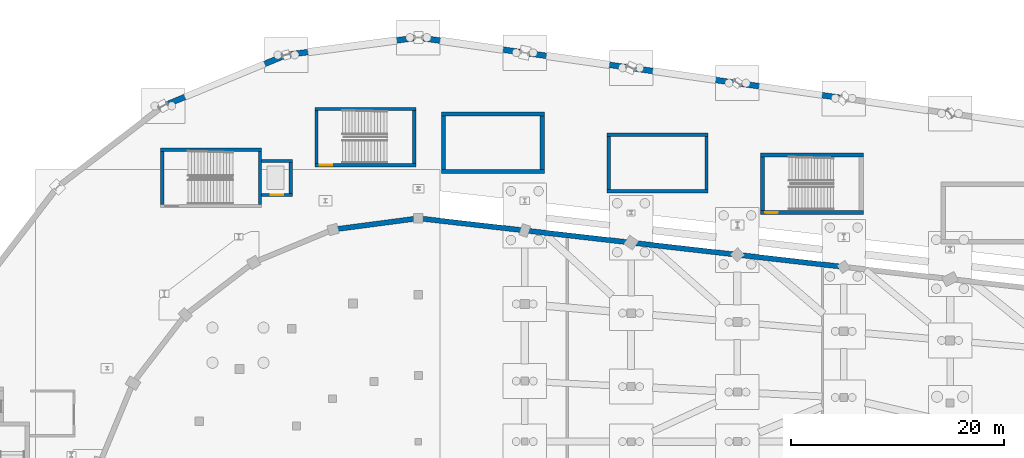
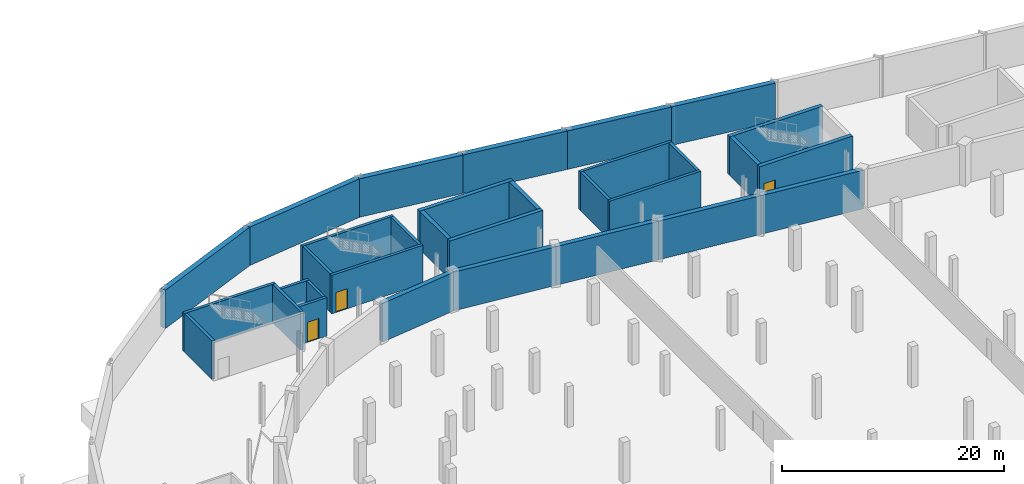
# One storey, part 48 of 55: 32 walls, 3 doors, 3 openings.
"""IFC4 building model written with IfcOpenShell, lengths in metres."""

from ifc_helpers import new_model, si_unit, direction, frame, frame_2d, origin, place, context, subcontext, project, spatial, rectangle, extrude, material, layer, layer_set, type_object, element, fill, save


model = new_model("IFC4")

# Units and contexts
model_context = context("Model", 3, precision=1e-05, world=origin(), true_north=direction((0.0, 1.0)))
body_context = subcontext(model_context, "Body", "Model", "MODEL_VIEW")
ifc_project = project(units=[si_unit("LENGTHUNIT", "METRE"), si_unit("AREAUNIT", "SQUARE_METRE"), si_unit("VOLUMEUNIT", "CUBIC_METRE"), si_unit("PLANEANGLEUNIT", "RADIAN"), si_unit("MASSUNIT", "GRAM", prefix="KILO")], contexts=[model_context])

# Site, building, storey
site_placement = place(None, origin())
site = spatial("IfcSite", under=ifc_project, at=site_placement, CompositionType="ELEMENT")
building_placement = place(site_placement, origin())
building = spatial("IfcBuilding", under=site, at=building_placement, Name="Sohan Crest Arena", CompositionType="ELEMENT")
storey_placement = place(building_placement, frame((0.0, 0.0, -4.5)))
storey = spatial("IfcBuildingStorey", under=building, at=storey_placement, Name="B1", CompositionType="ELEMENT", Elevation=-4.5)

# Walls
ifc_material_1 = material(Name="Concrete C40/50", Category="concrete")
ifc_layer_1 = layer(ifc_material_1, 0.47998046875, Name="Concrete C40/50")
ifc_layer_set_1 = layer_set([ifc_layer_1], Name="Concrete C40/50")
wall_type_1 = type_object("IfcWallType", Name="WAL-RW02", PredefinedType="USERDEFINED", material=ifc_layer_set_1)
wall_1_placement = place(storey_placement, frame((98.0, 109.0, 0.0), z_axis=(0.0, 0.0, 1.0), x_axis=(-0.99145018748, -0.130485730048, 0.0)))
element("IfcWall", 1, at=wall_1_placement, inside=storey, type_object=wall_type_1, Name="External wall RW-001", ObjectType="RETAINING WALL", PredefinedType="USERDEFINED", context=body_context, shape_type="SweptSolid", body=[
    extrude(rectangle(XDim=8.092041015625, YDim=0.47998046875, at=frame_2d((4.0458984375, 0.0))), origin(), (0.0, 0.0, 1.0), 4.25),
])
wall_2_placement = place(storey_placement, frame((138.0, 104.428955078125, 0.0), z_axis=(0.0, 0.0, 1.0), x_axis=(-0.993541269973, 0.113471339378, 0.0)))
element("IfcWall", 2, at=wall_2_placement, inside=storey, type_object=wall_type_1, Name="External wall RW-031", ObjectType="RETAINING WALL", PredefinedType="USERDEFINED", context=body_context, shape_type="SweptSolid", body=[
    extrude(rectangle(XDim=10.06494140625, YDim=0.47998046875, at=frame_2d((5.032470703125, 0.0))), origin(), (0.0, 0.0, 1.0), 4.25),
])
for number, where, z_axis, x_axis, name in (
    (3, (128.0, 105.571044921875, 0.0), (0.0, 0.0, 1.0), (-0.99353032697, 0.113567114035, 0.0), "External wall RW-032"),
    (4, (118.0, 106.714111328125, 0.0), (0.0, 0.0, 1.0), (-0.993533063564, 0.113543170668, 0.0), "External wall RW-033"),
    (5, (108.0, 107.85693359375, 0.0), (0.0, 0.0, 1.0), (-0.99353032697, 0.113567114035, 0.0), "External wall RW-034"),
):
    element("IfcWall", number, at=place(storey_placement, frame(where, z_axis=z_axis, x_axis=x_axis)), inside=storey, type_object=wall_type_1, Name=name, ObjectType="RETAINING WALL", PredefinedType="USERDEFINED", context=body_context, shape_type="SweptSolid", body=[
        extrude(rectangle(XDim=10.065185546875, YDim=0.47998046875, at=frame_2d((5.03271484375, 0.0))), origin(), (0.0, 0.0, 1.0), 4.25),
    ])
ifc_layer_2 = layer(ifc_material_1, 0.5400390625, Name="Concrete C40/50")
ifc_layer_set_2 = layer_set([ifc_layer_2], Name="Concrete C40/50")
wall_type_2 = type_object("IfcWallType", Name="WAL-RW03", PredefinedType="USERDEFINED", material=ifc_layer_set_2)
wall_3_placement = place(storey_placement, frame((98.0, 126.0, 0.0), z_axis=(0.0, 0.0, 1.0), x_axis=(-0.991440164207, -0.130561865783, 0.0)))
element("IfcWall", 6, at=wall_3_placement, inside=storey, type_object=wall_type_2, Name="External wall RW-039", ObjectType="RETAINING WALL", PredefinedType="USERDEFINED", context=body_context, shape_type="SweptSolid", body=[
    extrude(rectangle(XDim=12.5302734375, YDim=0.5400390625, at=frame_2d((6.26513671875, 0.0))), origin(), (0.0, 0.0, 1.0), 4.22509765625),
])
wall_4_placement = place(storey_placement, frame((85.576904296875, 124.364013671875, 0.0), z_axis=(0.0, 0.0, 1.0), x_axis=(-0.923890504882, -0.382656941645, 0.0)))
element("IfcWall", 7, at=wall_4_placement, inside=storey, type_object=wall_type_2, Name="External wall RW-040", ObjectType="RETAINING WALL", PredefinedType="USERDEFINED", context=body_context, shape_type="SweptSolid", body=[
    extrude(rectangle(XDim=12.530517578125, YDim=0.5400390625, at=frame_2d((6.26513671875, 0.0))), origin(), (0.0, 0.0, 1.0), 4.22509765625),
])
for number, where, z_axis, x_axis, name in (
    (8, (138.0, 120.285888671875, 0.0), (0.0, 0.0, 1.0), (-0.989954326844, 0.141387519825, 0.0), "External wall RW-069"),
    (9, (128.0, 121.714111328125, 0.0), (0.0, 0.0, 1.0), (-0.989944175879, 0.141458575718, 0.0), "External wall RW-070"),
    (10, (118.0, 123.14306640625, 0.0), (0.0, 0.0, 1.0), (-0.989957709412, 0.141363834042, 0.0), "External wall RW-071"),
    (11, (108.0, 124.571044921875, 0.0), (0.0, 0.0, 1.0), (-0.989944175879, 0.141458575718, 0.0), "External wall RW-072"),
):
    element("IfcWall", number, at=place(storey_placement, frame(where, z_axis=z_axis, x_axis=x_axis)), inside=storey, type_object=wall_type_2, Name=name, ObjectType="RETAINING WALL", PredefinedType="USERDEFINED", context=body_context, shape_type="SweptSolid", body=[
        extrude(rectangle(XDim=10.1015625, YDim=0.5400390625, at=frame_2d((5.05078125, 0.0))), origin(), (0.0, 0.0, 1.0), 4.22509765625),
    ])
ifc_layer_3 = layer(ifc_material_1, 0.300048828125, Name="Concrete C40/50")
ifc_layer_set_3 = layer_set([ifc_layer_3], Name="Concrete C40/50")
wall_type_3 = type_object("IfcWallType", Name="WAL-SW01", PredefinedType="SHEAR", material=ifc_layer_set_3)
for number, where, z_axis, x_axis, name in (
    (12, (73.89990234375, 110.300048828125, 0.0), (0.0, 0.0, 1.0), (0.0, 1.0, 0.0), "Core shear wall SW-0190"),
    (13, (83.10009765625, 110.300048828125, 0.0), (0.0, 0.0, 1.0), (0.0, 1.0, 0.0), "Core shear wall SW-0191"),
):
    element("IfcWall", number, at=place(storey_placement, frame(where, z_axis=z_axis, x_axis=x_axis)), inside=storey, type_object=wall_type_3, Name=name, PredefinedType="SHEAR", context=body_context, shape_type="SweptSolid", body=[
        extrude(rectangle(XDim=5.0, YDim=0.300048828125, at=frame_2d((2.5, 0.0))), origin(), (0.0, 0.0, 1.0), 4.22509765625),
    ])
wall_5_placement = place(storey_placement, frame((73.75, 115.449951171875, 0.0), z_axis=(0.0, 0.0, 1.0), x_axis=(1.0, 0.0, 0.0)))
element("IfcWall", 14, at=wall_5_placement, inside=storey, type_object=wall_type_3, Name="Core shear wall SW-0193", PredefinedType="SHEAR", context=body_context, shape_type="SweptSolid", body=[
    extrude(rectangle(XDim=9.5, YDim=0.300048828125, at=frame_2d((4.75, 0.0))), origin(), (0.0, 0.0, 1.0), 4.22509765625),
])
wall_6_placement = place(storey_placement, frame((86.0, 111.35009765625, 0.0), z_axis=(0.0, 0.0, 1.0), x_axis=(0.0, 1.0, 0.0)))
element("IfcWall", 15, at=wall_6_placement, inside=storey, type_object=wall_type_3, Name="Core shear wall SW-0194", PredefinedType="SHEAR", context=body_context, shape_type="SweptSolid", body=[
    extrude(rectangle(XDim=2.89990234375, YDim=0.300048828125, at=frame_2d((1.449951171875, 0.0))), origin(), (0.0, 0.0, 1.0), 4.22509765625),
])

# Wall, opening, door
wall_7_placement = place(storey_placement, frame((83.25, 111.199951171875, 0.0), z_axis=(0.0, 0.0, 1.0), x_axis=(1.0, 0.0, 0.0)))
wall_7 = element("IfcWall", 16, at=wall_7_placement, inside=storey, type_object=wall_type_3, Name="Core shear wall SW-0195", PredefinedType="SHEAR", context=body_context, shape_type="SweptSolid", body=[
    extrude(rectangle(XDim=2.89990234375, YDim=0.300048828125, at=frame_2d((1.449951171875, 0.0))), origin(), (0.0, 0.0, 1.0), 4.22509765625),
])
opening_1_placement = place(wall_7_placement, frame((0.85009765625, 0.0, 0.0)))
opening_1 = element("IfcOpeningElement", 17, at=opening_1_placement, cuts=wall_7, Name="Opening LD-LP02-B1", PredefinedType="OPENING", context=body_context, shape_type="SweptSolid", body=[
    extrude(rectangle(XDim=1.199951171875, YDim=2.199951171875, at=frame_2d((0.60009765625, 1.10009765625))), frame((0.0, 0.159912109375, 0.0), z_axis=(0.0, -1.0, 0.0), x_axis=(1.0, 0.0, 0.0)), (0.0, 0.0, 1.0), 0.320068359375),
])
ifc_material_2 = material(Name="Stainless steel passenger lift landing door", Category="steel")
door_type_1 = type_object("IfcDoorType", Name="DR-LD02", OperationType="SLIDING_TO_LEFT", PredefinedType="DOOR", material=ifc_material_2)
door_1_placement = place(opening_1_placement, origin())
door_1 = element("IfcDoor", 18, at=door_1_placement, inside=storey, type_object=door_type_1, Name="Sliding lift landing door LD-LP02-B1", OperationType="SLIDING_TO_LEFT", OverallHeight=2.199951171875, OverallWidth=1.199951171875, PredefinedType="DOOR", context=body_context, shape_type="SweptSolid", body=[
    extrude(rectangle(XDim=1.199951171875, YDim=2.199951171875, at=frame_2d((0.60009765625, 1.10009765625))), frame((0.0, 0.02490234375, 0.0), z_axis=(0.0, -1.0, 0.0), x_axis=(1.0, 0.0, 0.0)), (0.0, 0.0, 1.0), 0.050048828125),
])
fill(opening_1, door_1)

# Walls
wall_8_placement = place(storey_placement, frame((83.25, 114.39990234375, 0.0), z_axis=(0.0, 0.0, 1.0), x_axis=(1.0, 0.0, 0.0)))
element("IfcWall", 19, at=wall_8_placement, inside=storey, type_object=wall_type_3, Name="Core shear wall SW-0196", PredefinedType="SHEAR", context=body_context, shape_type="SweptSolid", body=[
    extrude(rectangle(XDim=2.89990234375, YDim=0.300048828125, at=frame_2d((1.449951171875, 0.0))), origin(), (0.0, 0.0, 1.0), 4.22509765625),
])
for number, where, z_axis, x_axis, name in (
    (20, (115.75, 111.550048828125, 0.0), (0.0, 0.0, 1.0), (1.0, 0.0, 0.0), "Core shear wall SW-0370"),
    (21, (115.75, 116.85009765625, 0.0), (0.0, 0.0, 1.0), (1.0, 0.0, 0.0), "Core shear wall SW-0371"),
):
    element("IfcWall", number, at=place(storey_placement, frame(where, z_axis=z_axis, x_axis=x_axis)), inside=storey, type_object=wall_type_3, Name=name, PredefinedType="SHEAR", context=body_context, shape_type="SweptSolid", body=[
        extrude(rectangle(XDim=9.5, YDim=0.300048828125, at=frame_2d((4.75, 0.0))), origin(), (0.0, 0.0, 1.0), 4.22509765625),
    ])
for number, where, z_axis, x_axis, name in (
    (22, (115.89990234375, 111.699951171875, 0.0), (0.0, 0.0, 1.0), (0.0, 1.0, 0.0), "Core shear wall SW-0372"),
    (23, (125.10009765625, 111.699951171875, 0.0), (0.0, 0.0, 1.0), (0.0, 1.0, 0.0), "Core shear wall SW-0373"),
    (24, (88.39990234375, 114.139892578125, 0.0), (0.0, 0.0, 1.0), (0.0, 1.0, 0.0), "Core shear wall SW-0757"),
    (25, (97.60009765625, 114.139892578125, 0.0), (0.0, 0.0, 1.0), (0.0, 1.0, 0.0), "Core shear wall SW-0758"),
):
    element("IfcWall", number, at=place(storey_placement, frame(where, z_axis=z_axis, x_axis=x_axis)), inside=storey, type_object=wall_type_3, Name=name, PredefinedType="SHEAR", context=body_context, shape_type="SweptSolid", body=[
        extrude(rectangle(XDim=5.0, YDim=0.300048828125, at=frame_2d((2.5, 0.0))), origin(), (0.0, 0.0, 1.0), 4.22509765625),
    ])

# Wall, opening, door
wall_9_placement = place(storey_placement, frame((88.25, 113.989990234375, 0.0), z_axis=(0.0, 0.0, 1.0), x_axis=(1.0, 0.0, 0.0)))
wall_9 = element("IfcWall", 26, at=wall_9_placement, inside=storey, type_object=wall_type_3, Name="Core shear wall SW-0759", PredefinedType="SHEAR", context=body_context, shape_type="SweptSolid", body=[
    extrude(rectangle(XDim=9.5, YDim=0.300048828125, at=frame_2d((4.75, 0.0))), origin(), (0.0, 0.0, 1.0), 4.22509765625),
])
opening_2_placement = place(wall_9_placement, frame((0.449951171875, 0.0, 0.0)))
opening_2 = element("IfcOpeningElement", 27, at=opening_2_placement, cuts=wall_9, Name="Opening SD-0205", PredefinedType="OPENING", context=body_context, shape_type="SweptSolid", body=[
    extrude(rectangle(XDim=1.199951171875, YDim=2.199951171875, at=frame_2d((0.60009765625, 1.10009765625))), frame((0.0, 0.159912109375, 0.0), z_axis=(0.0, -1.0, 0.0), x_axis=(1.0, 0.0, 0.0)), (0.0, 0.0, 1.0), 0.320068359375),
])
ifc_material_3 = material(Name="Fire-rated steel stair and lobby door", Category="steel")
door_type_2 = type_object("IfcDoorType", Name="DR-FD04", OperationType="NOTDEFINED", PredefinedType="DOOR", material=ifc_material_3)
door_2_placement = place(opening_2_placement, frame((1.199951171875, 0.0, 0.0), z_axis=(0.0, 0.0, 1.0), x_axis=(-1.0, 0.0, 0.0)))
door_2 = element("IfcDoor", 28, at=door_2_placement, inside=storey, type_object=door_type_2, Name="Protected stair door SD-0205", OperationType="SINGLE_SWING_LEFT", OverallHeight=2.199951171875, OverallWidth=1.199951171875, PredefinedType="DOOR", context=body_context, shape_type="SweptSolid", body=[
    extrude(rectangle(XDim=1.199951171875, YDim=2.199951171875, at=frame_2d((0.60009765625, 1.10009765625))), frame((0.0, 0.02490234375, 0.0), z_axis=(0.0, -1.0, 0.0), x_axis=(1.0, 0.0, 0.0)), (0.0, 0.0, 1.0), 0.050048828125),
])
fill(opening_2, door_2)

# Walls
wall_10_placement = place(storey_placement, frame((88.25, 119.2900390625, 0.0), z_axis=(0.0, 0.0, 1.0), x_axis=(1.0, 0.0, 0.0)))
element("IfcWall", 29, at=wall_10_placement, inside=storey, type_object=wall_type_3, Name="Core shear wall SW-0760", PredefinedType="SHEAR", context=body_context, shape_type="SweptSolid", body=[
    extrude(rectangle(XDim=9.5, YDim=0.300048828125, at=frame_2d((4.75, 0.0))), origin(), (0.0, 0.0, 1.0), 4.22509765625),
])
ifc_layer_4 = layer(ifc_material_1, 0.39990234375, Name="Concrete C40/50")
ifc_layer_set_4 = layer_set([ifc_layer_4], Name="Concrete C40/50")
wall_type_4 = type_object("IfcWallType", Name="WAL-SW03", PredefinedType="SHEAR", material=ifc_layer_set_4)
for number, where, z_axis, x_axis, name in (
    (30, (100.14990234375, 113.39990234375, 0.0), (0.0, 0.0, 1.0), (1.0, 0.0, 0.0), "Core shear wall SW-0285"),
    (31, (100.14990234375, 118.800048828125, 0.0), (0.0, 0.0, 1.0), (1.0, 0.0, 0.0), "Core shear wall SW-0286"),
):
    element("IfcWall", number, at=place(storey_placement, frame(where, z_axis=z_axis, x_axis=x_axis)), inside=storey, type_object=wall_type_4, Name=name, PredefinedType="SHEAR", context=body_context, shape_type="SweptSolid", body=[
        extrude(rectangle(XDim=9.7001953125, YDim=0.39990234375, at=frame_2d((4.85009765625, 0.0))), origin(), (0.0, 0.0, 1.0), 4.22509765625),
    ])
for number, where, z_axis, x_axis, name in (
    (32, (100.35009765625, 113.60009765625, 0.0), (0.0, 0.0, 1.0), (0.0, 1.0, 0.0), "Core shear wall SW-0287"),
    (33, (109.64990234375, 113.60009765625, 0.0), (0.0, 0.0, 1.0), (0.0, 1.0, 0.0), "Core shear wall SW-0288"),
    (34, (130.35009765625, 109.75, 0.0), (0.0, 0.0, 1.0), (0.0, 1.0, 0.0), "Core shear wall SW-0805"),
):
    element("IfcWall", number, at=place(storey_placement, frame(where, z_axis=z_axis, x_axis=x_axis)), inside=storey, type_object=wall_type_4, Name=name, PredefinedType="SHEAR", context=body_context, shape_type="SweptSolid", body=[
        extrude(rectangle(XDim=5.0, YDim=0.39990234375, at=frame_2d((2.5, 0.0))), origin(), (0.0, 0.0, 1.0), 4.22509765625),
    ])

# Wall, opening, door
wall_11_placement = place(storey_placement, frame((130.14990234375, 109.550048828125, 0.0), z_axis=(0.0, 0.0, 1.0), x_axis=(1.0, 0.0, 0.0)))
wall_11 = element("IfcWall", 35, at=wall_11_placement, inside=storey, type_object=wall_type_4, Name="Core shear wall SW-0807", PredefinedType="SHEAR", context=body_context, shape_type="SweptSolid", body=[
    extrude(rectangle(XDim=9.7001953125, YDim=0.39990234375, at=frame_2d((4.85009765625, 0.0))), origin(), (0.0, 0.0, 1.0), 4.22509765625),
])
opening_3_placement = place(wall_11_placement, frame((0.449951171875, 0.0, 0.0)))
opening_3 = element("IfcOpeningElement", 36, at=opening_3_placement, cuts=wall_11, Name="Opening SD-0217", PredefinedType="OPENING", context=body_context, shape_type="SweptSolid", body=[
    extrude(rectangle(XDim=1.199951171875, YDim=2.199951171875, at=frame_2d((0.60009765625, 1.10009765625))), frame((0.0, 0.2099609375, 0.0), z_axis=(0.0, -1.0, 0.0), x_axis=(1.0, 0.0, 0.0)), (0.0, 0.0, 1.0), 0.419921875),
])
door_3_placement = place(opening_3_placement, frame((1.199951171875, 0.0, 0.0), z_axis=(0.0, 0.0, 1.0), x_axis=(-1.0, 0.0, 0.0)))
door_3 = element("IfcDoor", 37, at=door_3_placement, inside=storey, type_object=door_type_2, Name="Protected stair door SD-0217", OperationType="SINGLE_SWING_LEFT", OverallHeight=2.199951171875, OverallWidth=1.199951171875, PredefinedType="DOOR", context=body_context, shape_type="SweptSolid", body=[
    extrude(rectangle(XDim=1.199951171875, YDim=2.199951171875, at=frame_2d((0.60009765625, 1.10009765625))), frame((0.0, 0.02490234375, 0.0), z_axis=(0.0, -1.0, 0.0), x_axis=(1.0, 0.0, 0.0)), (0.0, 0.0, 1.0), 0.050048828125),
])
fill(opening_3, door_3)

# Wall
wall_12_placement = place(storey_placement, frame((130.14990234375, 114.949951171875, 0.0), z_axis=(0.0, 0.0, 1.0), x_axis=(1.0, 0.0, 0.0)))
element("IfcWall", 38, at=wall_12_placement, inside=storey, type_object=wall_type_4, Name="Core shear wall SW-0808", PredefinedType="SHEAR", context=body_context, shape_type="SweptSolid", body=[
    extrude(rectangle(XDim=9.7001953125, YDim=0.39990234375, at=frame_2d((4.85009765625, 0.0))), origin(), (0.0, 0.0, 1.0), 4.22509765625),
])

save(model, "model.ifc")
